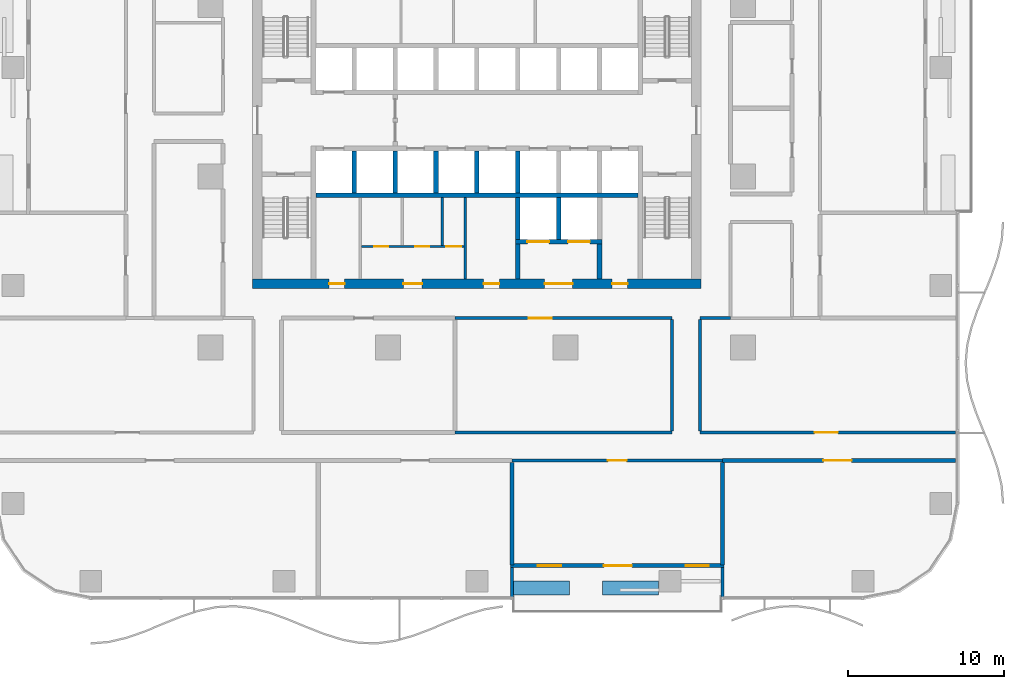
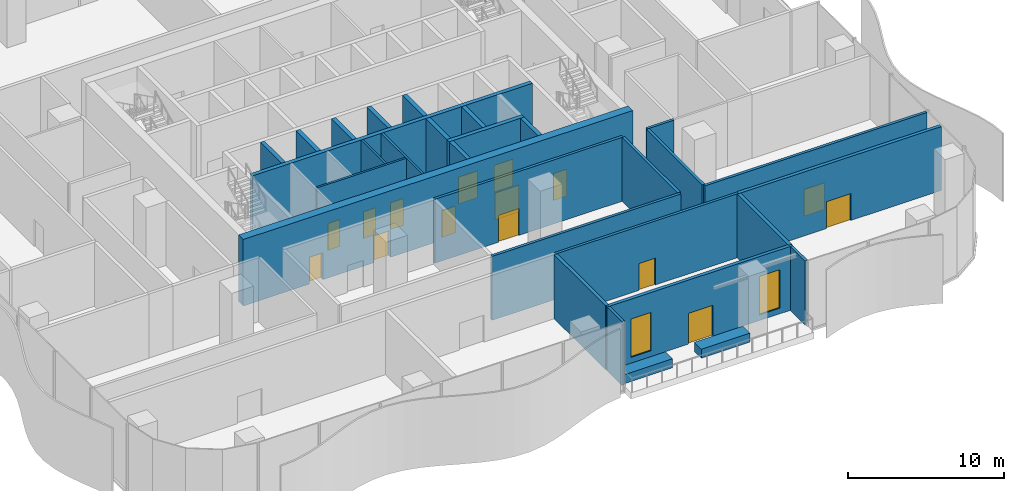
# One storey, part 8 of 20: 30 walls, 15 doors, 2 windows, 17 openings.
"""IFC4 building model written with IfcOpenShell, lengths in metres."""

from ifc_helpers import new_model, si_unit, direction, frame, frame_2d, origin, place, context, subcontext, project, spatial, rectangle, extrude, material, layer, layer_set, type_object, element, fill, save


model = new_model("IFC4")

# Units and contexts
model_context = context("Model", 3, precision=1e-05, world=origin(), true_north=direction((0.0, 1.0)))
body_context = subcontext(model_context, "Body", "Model", "MODEL_VIEW")
ifc_project = project(units=[si_unit("LENGTHUNIT", "METRE"), si_unit("AREAUNIT", "SQUARE_METRE"), si_unit("VOLUMEUNIT", "CUBIC_METRE"), si_unit("PLANEANGLEUNIT", "RADIAN"), si_unit("MASSUNIT", "GRAM", prefix="KILO")], contexts=[model_context])

# Site, building, storey
site_placement = place(None, origin())
site = spatial("IfcSite", under=ifc_project, at=site_placement, CompositionType="ELEMENT")
building_placement = place(site_placement, origin())
building = spatial("IfcBuilding", under=site, at=building_placement, Name="Mopane Tessera Tower", CompositionType="ELEMENT")
storey_placement = place(building_placement, frame((0.0, 0.0, 14.5)))
storey = spatial("IfcBuildingStorey", under=building, at=storey_placement, Name="L02", CompositionType="ELEMENT", Elevation=14.5)

# Wall, openings, doors
ifc_material_1 = material(Name="Fire-rated gypsum board partition")
ifc_layer_1 = layer(ifc_material_1, 0.14990234375)
ifc_layer_set_1 = layer_set([ifc_layer_1], Name="Fire-rated gypsum board partition")
wall_type_1 = type_object("IfcWallType", Name="Core room partition 150 mm", PredefinedType="PARTITIONING", material=ifc_layer_set_1)
wall_1_placement = place(storey_placement, frame((-7.425048828125, -4.5, 0.0), z_axis=(0.0, 0.0, 1.0), x_axis=(1.0, 0.0, 0.0)))
wall_1 = element("IfcWall", 1, at=wall_1_placement, inside=storey, type_object=wall_type_1, Name="L02 WC partition", PredefinedType="PARTITIONING", context=body_context, shape_type="SweptSolid", body=[
    extrude(rectangle(XDim=6.60009765625, YDim=0.14990234375, at=frame_2d((3.300048828125, 0.0))), origin(), (0.0, 0.0, 1.0), 5.199951171875),
])
opening_1_placement = place(wall_1_placement, frame((0.824951171875, 0.0, 0.0)))
opening_1 = element("IfcOpeningElement", 2, at=opening_1_placement, cuts=wall_1, Name="Opening WD1", PredefinedType="OPENING", context=body_context, shape_type="SweptSolid", body=[
    extrude(rectangle(XDim=0.89990234375, YDim=2.10009765625, at=frame_2d((0.449951171875, 1.050048828125))), frame((0.0, 0.0869140625, 0.0), z_axis=(0.0, -1.0, 0.0), x_axis=(1.0, 0.0, 0.0)), (0.0, 0.0, 1.0), 0.173828125),
])
opening_2_placement = place(wall_1_placement, frame((3.45751953125, 0.0, 0.0)))
opening_2 = element("IfcOpeningElement", 3, at=opening_2_placement, cuts=wall_1, Name="Opening WD1", PredefinedType="OPENING", context=body_context, shape_type="SweptSolid", body=[
    extrude(rectangle(XDim=0.89990234375, YDim=2.10009765625, at=frame_2d((0.449951171875, 1.050048828125))), frame((0.0, 0.0869140625, 0.0), z_axis=(0.0, -1.0, 0.0), x_axis=(1.0, 0.0, 0.0)), (0.0, 0.0, 1.0), 0.173828125),
])
opening_3_placement = place(wall_1_placement, frame((5.45751953125, 0.0, 0.0)))
opening_3 = element("IfcOpeningElement", 4, at=opening_3_placement, cuts=wall_1, Name="Opening WD2", PredefinedType="OPENING", context=body_context, shape_type="SweptSolid", body=[
    extrude(rectangle(XDim=0.949951171875, YDim=2.10009765625, at=frame_2d((0.47509765625, 1.050048828125))), frame((0.0, 0.0869140625, 0.0), z_axis=(0.0, -1.0, 0.0), x_axis=(1.0, 0.0, 0.0)), (0.0, 0.0, 1.0), 0.173828125),
])
ifc_material_2 = material(Name="Timber door", Category="wood")
door_type_1 = type_object("IfcDoorType", Name="Accessible WC door 950 x 2100", OperationType="SINGLE_SWING_LEFT", PredefinedType="DOOR", material=ifc_material_2)
door_1_placement = place(opening_3_placement, origin())
door_1 = element("IfcDoor", 5, at=door_1_placement, inside=storey, type_object=door_type_1, Name="L02 Accessible WC door", OperationType="SINGLE_SWING_LEFT", OverallHeight=2.10009765625, OverallWidth=0.949951171875, PredefinedType="DOOR", context=body_context, shape_type="SweptSolid", body=[
    extrude(rectangle(XDim=0.949951171875, YDim=2.10009765625, at=frame_2d((0.47509765625, 1.050048828125))), frame((0.0, 0.02490234375, 0.0), z_axis=(0.0, -1.0, 0.0), x_axis=(1.0, 0.0, 0.0)), (0.0, 0.0, 1.0), 0.050048828125),
])
fill(opening_3, door_1)
ifc_material_3 = material(Name="Timber door", Category="wood")
door_type_2 = type_object("IfcDoorType", Name="WC cubicle door 900 x 2100", OperationType="SINGLE_SWING_LEFT", PredefinedType="DOOR", material=ifc_material_3)
door_2_placement = place(opening_1_placement, origin())
door_2 = element("IfcDoor", 6, at=door_2_placement, inside=storey, type_object=door_type_2, Name="L02 Men's WC door", OperationType="SINGLE_SWING_LEFT", OverallHeight=2.10009765625, OverallWidth=0.89990234375, PredefinedType="DOOR", context=body_context, shape_type="SweptSolid", body=[
    extrude(rectangle(XDim=0.89990234375, YDim=2.10009765625, at=frame_2d((0.449951171875, 1.050048828125))), frame((0.0, 0.02490234375, 0.0), z_axis=(0.0, -1.0, 0.0), x_axis=(1.0, 0.0, 0.0)), (0.0, 0.0, 1.0), 0.050048828125),
])
fill(opening_1, door_2)
door_3_placement = place(opening_2_placement, origin())
door_3 = element("IfcDoor", 7, at=door_3_placement, inside=storey, type_object=door_type_2, Name="L02 Women's WC door", OperationType="SINGLE_SWING_LEFT", OverallHeight=2.10009765625, OverallWidth=0.89990234375, PredefinedType="DOOR", context=body_context, shape_type="SweptSolid", body=[
    extrude(rectangle(XDim=0.89990234375, YDim=2.10009765625, at=frame_2d((0.449951171875, 1.050048828125))), frame((0.0, 0.02490234375, 0.0), z_axis=(0.0, -1.0, 0.0), x_axis=(1.0, 0.0, 0.0)), (0.0, 0.0, 1.0), 0.050048828125),
])
fill(opening_2, door_3)

# Walls
wall_2_placement = place(storey_placement, frame((-2.235107421875, -4.425048828125, 0.0), z_axis=(0.0, 0.0, 1.0), x_axis=(0.0, 1.0, 0.0)))
element("IfcWall", 8, at=wall_2_placement, inside=storey, type_object=wall_type_1, Name="L02 WC partition", PredefinedType="PARTITIONING", context=body_context, shape_type="SweptSolid", body=[
    extrude(rectangle(XDim=3.074951171875, YDim=0.14990234375, at=frame_2d((1.53759765625, 0.0))), origin(), (0.0, 0.0, 1.0), 5.199951171875),
])
wall_3_placement = place(storey_placement, frame((-0.75, -6.60009765625, 0.0), z_axis=(0.0, 0.0, 1.0), x_axis=(0.0, 1.0, 0.0)))
element("IfcWall", 9, at=wall_3_placement, inside=storey, type_object=wall_type_1, Name="L02 Room partition", PredefinedType="PARTITIONING", context=body_context, shape_type="SweptSolid", body=[
    extrude(rectangle(XDim=5.25, YDim=0.14990234375, at=frame_2d((2.625, 0.0))), origin(), (0.0, 0.0, 1.0), 5.199951171875),
])

# Wall, openings, doors
ifc_material_4 = material(Name="Concrete C70/85", Category="concrete")
ifc_layer_2 = layer(ifc_material_4, 0.60009765625)
ifc_layer_set_2 = layer_set([ifc_layer_2], Name="Concrete C70/85")
wall_type_2 = type_object("IfcWallType", Name="Core shear wall 600 mm", PredefinedType="SHEAR", material=ifc_layer_set_2)
wall_4_placement = place(storey_placement, frame((-14.39990234375, -6.89990234375, 0.0), z_axis=(0.0, 0.0, 1.0), x_axis=(1.0, 0.0, 0.0)))
wall_4 = element("IfcWall", 10, at=wall_4_placement, inside=storey, type_object=wall_type_2, Name="L02 Core wall south", PredefinedType="SHEAR", context=body_context, shape_type="SweptSolid", body=[
    extrude(rectangle(XDim=28.7998046875, YDim=0.60009765625, at=frame_2d((14.39990234375, 0.0))), origin(), (0.0, 0.0, 1.0), 5.199951171875),
])
opening_4_placement = place(wall_4_placement, frame((4.89990234375, 0.0, 0.0)))
opening_4 = element("IfcOpeningElement", 11, at=opening_4_placement, cuts=wall_4, Name="Opening RD1", PredefinedType="OPENING", context=body_context, shape_type="SweptSolid", body=[
    extrude(rectangle(XDim=1.0, YDim=2.10009765625, at=frame_2d((0.5, 1.050048828125))), frame((0.0, 0.31201171875, 0.0), z_axis=(0.0, -1.0, 0.0), x_axis=(1.0, 0.0, 0.0)), (0.0, 0.0, 1.0), 0.6240234375),
])
opening_5_placement = place(wall_4_placement, frame((9.675048828125, 0.0, 0.0)))
opening_5 = element("IfcOpeningElement", 12, at=opening_5_placement, cuts=wall_4, Name="Opening WD3", PredefinedType="OPENING", context=body_context, shape_type="SweptSolid", body=[
    extrude(rectangle(XDim=1.199951171875, YDim=2.10009765625, at=frame_2d((0.60009765625, 1.050048828125))), frame((0.0, 0.31201171875, 0.0), z_axis=(0.0, -1.0, 0.0), x_axis=(1.0, 0.0, 0.0)), (0.0, 0.0, 1.0), 0.6240234375),
])
opening_6_placement = place(wall_4_placement, frame((14.83740234375, 0.0, 0.0)))
opening_6 = element("IfcOpeningElement", 13, at=opening_6_placement, cuts=wall_4, Name="Opening RD1", PredefinedType="OPENING", context=body_context, shape_type="SweptSolid", body=[
    extrude(rectangle(XDim=1.0, YDim=2.10009765625, at=frame_2d((0.5, 1.050048828125))), frame((0.0, 0.31201171875, 0.0), z_axis=(0.0, -1.0, 0.0), x_axis=(1.0, 0.0, 0.0)), (0.0, 0.0, 1.0), 0.6240234375),
])
opening_7_placement = place(wall_4_placement, frame((18.75, 0.0, 0.0)))
opening_7 = element("IfcOpeningElement", 14, at=opening_7_placement, cuts=wall_4, Name="Opening SD2", PredefinedType="OPENING", context=body_context, shape_type="SweptSolid", body=[
    extrude(rectangle(XDim=1.800048828125, YDim=2.10009765625, at=frame_2d((0.89990234375, 1.050048828125))), frame((0.0, 0.31201171875, 0.0), z_axis=(0.0, -1.0, 0.0), x_axis=(1.0, 0.0, 0.0)), (0.0, 0.0, 1.0), 0.6240234375),
])
opening_8_placement = place(wall_4_placement, frame((23.08740234375, 0.0, 0.0)))
opening_8 = element("IfcOpeningElement", 15, at=opening_8_placement, cuts=wall_4, Name="Opening RD1", PredefinedType="OPENING", context=body_context, shape_type="SweptSolid", body=[
    extrude(rectangle(XDim=1.0, YDim=2.10009765625, at=frame_2d((0.5, 1.050048828125))), frame((0.0, 0.31201171875, 0.0), z_axis=(0.0, -1.0, 0.0), x_axis=(1.0, 0.0, 0.0)), (0.0, 0.0, 1.0), 0.6240234375),
])
ifc_material_5 = material(Name="Steel fire door", Category="steel")
door_type_3 = type_object("IfcDoorType", Name="Core entrance double door 1800 x 2100", OperationType="DOUBLE_DOOR_SINGLE_SWING", PredefinedType="DOOR", material=ifc_material_5)
door_4_placement = place(opening_7_placement, origin())
door_4 = element("IfcDoor", 16, at=door_4_placement, inside=storey, type_object=door_type_3, Name="L02 Service lobby door", OperationType="DOUBLE_DOOR_SINGLE_SWING", OverallHeight=2.10009765625, OverallWidth=1.800048828125, PredefinedType="DOOR", context=body_context, shape_type="SweptSolid", body=[
    extrude(rectangle(XDim=1.800048828125, YDim=2.10009765625, at=frame_2d((0.89990234375, 1.050048828125))), frame((0.0, 0.02490234375, 0.0), z_axis=(0.0, -1.0, 0.0), x_axis=(1.0, 0.0, 0.0)), (0.0, 0.0, 1.0), 0.050048828125),
])
fill(opening_7, door_4)
ifc_material_6 = material(Name="Timber door", Category="wood")
door_type_4 = type_object("IfcDoorType", Name="Core room door 1000 x 2100", OperationType="SINGLE_SWING_LEFT", PredefinedType="DOOR", material=ifc_material_6)
door_5_placement = place(opening_4_placement, origin())
door_5 = element("IfcDoor", 17, at=door_5_placement, inside=storey, type_object=door_type_4, Name="L02 Room door", OperationType="SINGLE_SWING_LEFT", OverallHeight=2.10009765625, OverallWidth=1.0, PredefinedType="DOOR", context=body_context, shape_type="SweptSolid", body=[
    extrude(rectangle(XDim=1.0, YDim=2.10009765625, at=frame_2d((0.5, 1.050048828125))), frame((0.0, 0.02490234375, 0.0), z_axis=(0.0, -1.0, 0.0), x_axis=(1.0, 0.0, 0.0)), (0.0, 0.0, 1.0), 0.050048828125),
])
fill(opening_4, door_5)
door_6_placement = place(opening_6_placement, origin())
door_6 = element("IfcDoor", 18, at=door_6_placement, inside=storey, type_object=door_type_4, Name="L02 Room door", OperationType="SINGLE_SWING_LEFT", OverallHeight=2.10009765625, OverallWidth=1.0, PredefinedType="DOOR", context=body_context, shape_type="SweptSolid", body=[
    extrude(rectangle(XDim=1.0, YDim=2.10009765625, at=frame_2d((0.5, 1.050048828125))), frame((0.0, 0.02490234375, 0.0), z_axis=(0.0, -1.0, 0.0), x_axis=(1.0, 0.0, 0.0)), (0.0, 0.0, 1.0), 0.050048828125),
])
fill(opening_6, door_6)
door_7_placement = place(opening_8_placement, origin())
door_7 = element("IfcDoor", 19, at=door_7_placement, inside=storey, type_object=door_type_4, Name="L02 Room door", OperationType="SINGLE_SWING_LEFT", OverallHeight=2.10009765625, OverallWidth=1.0, PredefinedType="DOOR", context=body_context, shape_type="SweptSolid", body=[
    extrude(rectangle(XDim=1.0, YDim=2.10009765625, at=frame_2d((0.5, 1.050048828125))), frame((0.0, 0.02490234375, 0.0), z_axis=(0.0, -1.0, 0.0), x_axis=(1.0, 0.0, 0.0)), (0.0, 0.0, 1.0), 0.050048828125),
])
fill(opening_8, door_7)
ifc_material_7 = material(Name="Timber door", Category="wood")
door_type_5 = type_object("IfcDoorType", Name="WC lobby door 1200 x 2100", OperationType="SINGLE_SWING_LEFT", PredefinedType="DOOR", material=ifc_material_7)
door_8_placement = place(opening_5_placement, origin())
door_8 = element("IfcDoor", 20, at=door_8_placement, inside=storey, type_object=door_type_5, Name="L02 WC lobby door", OperationType="SINGLE_SWING_LEFT", OverallHeight=2.10009765625, OverallWidth=1.199951171875, PredefinedType="DOOR", context=body_context, shape_type="SweptSolid", body=[
    extrude(rectangle(XDim=1.199951171875, YDim=2.10009765625, at=frame_2d((0.60009765625, 1.050048828125))), frame((0.0, 0.02490234375, 0.0), z_axis=(0.0, -1.0, 0.0), x_axis=(1.0, 0.0, 0.0)), (0.0, 0.0, 1.0), 0.050048828125),
])
fill(opening_5, door_8)

# Wall, opening, door
ifc_material_8 = material(Name="Gypsum board on steel studs, two layers each face, mineral wool infill", Category="steel")
ifc_layer_3 = layer(ifc_material_8, 0.199951171875)
ifc_layer_set_3 = layer_set([ifc_layer_3], Name="Gypsum board on steel studs, two layers each face, mineral wool infill")
wall_type_3 = type_object("IfcWallType", Name="Gypsum board corridor wall 200, rated EI 60", PredefinedType="PARTITIONING", material=ifc_layer_set_3)
wall_5_placement = place(storey_placement, frame((2.2548828125, -18.25, 0.0), z_axis=(0.0, 0.0, 1.0), x_axis=(1.0, 0.0, 0.0)))
wall_5 = element("IfcWall", 21, at=wall_5_placement, inside=storey, type_object=wall_type_3, Name="Partition L02:000", PredefinedType="PARTITIONING", context=body_context, shape_type="SweptSolid", body=[
    extrude(rectangle(XDim=13.525146484375, YDim=0.199951171875, at=frame_2d((6.7626953125, 0.0))), origin(), (0.0, 0.0, 1.0), 5.0),
])
opening_9_placement = place(wall_5_placement, frame((6.16259765625, 0.0, 0.0)))
opening_9 = element("IfcOpeningElement", 22, at=opening_9_placement, cuts=wall_5, Name="Opening L02-23", PredefinedType="OPENING", context=body_context, shape_type="SweptSolid", body=[
    extrude(rectangle(XDim=1.199951171875, YDim=2.10009765625, at=frame_2d((0.60009765625, 1.050048828125))), frame((0.0, 0.112060546875, 0.0), z_axis=(0.0, -1.0, 0.0), x_axis=(1.0, 0.0, 0.0)), (0.0, 0.0, 1.0), 0.223876953125),
])
ifc_material_9 = material(Name="Timber veneered steel-framed fire door", Category="steel")
door_type_6 = type_object("IfcDoorType", Name="Fire door FD60 1200 x 2100", OperationType="SINGLE_SWING_LEFT", PredefinedType="DOOR", material=ifc_material_9)
door_9_placement = place(opening_9_placement, origin())
door_9 = element("IfcDoor", 23, at=door_9_placement, inside=storey, type_object=door_type_6, Name="Door L02-23", ObjectType="D15A", OperationType="SINGLE_SWING_LEFT", OverallHeight=2.10009765625, OverallWidth=1.199951171875, PredefinedType="DOOR", context=body_context, shape_type="SweptSolid", body=[
    extrude(rectangle(XDim=1.199951171875, YDim=2.10009765625, at=frame_2d((0.60009765625, 1.050048828125))), frame((0.0, 0.02490234375, 0.0), z_axis=(0.0, -1.0, 0.0), x_axis=(1.0, 0.0, 0.0)), (0.0, 0.0, 1.0), 0.050048828125),
])
fill(opening_9, door_9)

# Wall
wall_6_placement = place(storey_placement, frame((-1.39501953125, -16.449951171875, 0.0), z_axis=(0.0, 0.0, 1.0), x_axis=(1.0, 0.0, 0.0)))
element("IfcWall", 24, at=wall_6_placement, inside=storey, type_object=wall_type_3, Name="Partition L02:004", PredefinedType="PARTITIONING", context=body_context, shape_type="SweptSolid", body=[
    extrude(rectangle(XDim=13.93505859375, YDim=0.199951171875, at=frame_2d((6.967529296875, 0.0))), origin(), (0.0, 0.0, 1.0), 5.0),
])

# Wall, opening, door
wall_7_placement = place(storey_placement, frame((14.340087890625, -16.449951171875, 0.0), z_axis=(0.0, 0.0, 1.0), x_axis=(1.0, 0.0, 0.0)))
wall_7 = element("IfcWall", 25, at=wall_7_placement, inside=storey, type_object=wall_type_3, Name="Partition L02:005", PredefinedType="PARTITIONING", context=body_context, shape_type="SweptSolid", body=[
    extrude(rectangle(XDim=16.409912109375, YDim=0.199951171875, at=frame_2d((8.205078125, 0.0))), origin(), (0.0, 0.0, 1.0), 5.0),
])
opening_10_placement = place(wall_7_placement, frame((7.35498046875, 0.0, 0.0)))
opening_10 = element("IfcOpeningElement", 26, at=opening_10_placement, cuts=wall_7, Name="Opening L02-17", PredefinedType="OPENING", context=body_context, shape_type="SweptSolid", body=[
    extrude(rectangle(XDim=1.5, YDim=2.10009765625, at=frame_2d((0.75, 1.050048828125))), frame((0.0, 0.112060546875, 0.0), z_axis=(0.0, -1.0, 0.0), x_axis=(1.0, 0.0, 0.0)), (0.0, 0.0, 1.0), 0.223876953125),
])
ifc_material_10 = material(Name="Timber veneered steel-framed fire door", Category="steel")
door_type_7 = type_object("IfcDoorType", Name="Fire door pair FD60 1500 x 2100", OperationType="DOUBLE_DOOR_SINGLE_SWING", PredefinedType="DOOR", material=ifc_material_10)
door_10_placement = place(opening_10_placement, origin())
door_10 = element("IfcDoor", 27, at=door_10_placement, inside=storey, type_object=door_type_7, Name="Door L02-17", ObjectType="D17A", OperationType="DOUBLE_DOOR_SINGLE_SWING", OverallHeight=2.10009765625, OverallWidth=1.5, PredefinedType="DOOR", context=body_context, shape_type="SweptSolid", body=[
    extrude(rectangle(XDim=1.5, YDim=2.10009765625, at=frame_2d((0.75, 1.050048828125))), frame((0.0, 0.02490234375, 0.0), z_axis=(0.0, -1.0, 0.0), x_axis=(1.0, 0.0, 0.0)), (0.0, 0.0, 1.0), 0.050048828125),
])
fill(opening_10, door_10)

wall_8_placement = place(storey_placement, frame((-1.39501953125, -9.10009765625, 0.0), z_axis=(0.0, 0.0, 1.0), x_axis=(1.0, 0.0, 0.0)))
wall_8 = element("IfcWall", 28, at=wall_8_placement, inside=storey, type_object=wall_type_3, Name="Partition L02:010", PredefinedType="PARTITIONING", context=body_context, shape_type="SweptSolid", body=[
    extrude(rectangle(XDim=13.93505859375, YDim=0.199951171875, at=frame_2d((6.967529296875, 0.0))), origin(), (0.0, 0.0, 1.0), 5.0),
])
opening_11_placement = place(wall_8_placement, frame((4.717529296875, 0.0, 0.0)))
opening_11 = element("IfcOpeningElement", 29, at=opening_11_placement, cuts=wall_8, Name="Opening L02-14", PredefinedType="OPENING", context=body_context, shape_type="SweptSolid", body=[
    extrude(rectangle(XDim=1.5, YDim=2.10009765625, at=frame_2d((0.75, 1.050048828125))), frame((0.0, 0.112060546875, 0.0), z_axis=(0.0, -1.0, 0.0), x_axis=(1.0, 0.0, 0.0)), (0.0, 0.0, 1.0), 0.223876953125),
])
door_11_placement = place(opening_11_placement, origin())
door_11 = element("IfcDoor", 30, at=door_11_placement, inside=storey, type_object=door_type_7, Name="Door L02-14", ObjectType="D17A", OperationType="DOUBLE_DOOR_SINGLE_SWING", OverallHeight=2.10009765625, OverallWidth=1.5, PredefinedType="DOOR", context=body_context, shape_type="SweptSolid", body=[
    extrude(rectangle(XDim=1.5, YDim=2.10009765625, at=frame_2d((0.75, 1.050048828125))), frame((0.0, 0.02490234375, 0.0), z_axis=(0.0, -1.0, 0.0), x_axis=(1.0, 0.0, 0.0)), (0.0, 0.0, 1.0), 0.050048828125),
])
fill(opening_11, door_11)

# Walls
wall_9_placement = place(storey_placement, frame((14.340087890625, -9.10009765625, 0.0), z_axis=(0.0, 0.0, 1.0), x_axis=(1.0, 0.0, 0.0)))
element("IfcWall", 31, at=wall_9_placement, inside=storey, type_object=wall_type_3, Name="Partition L02:011", PredefinedType="PARTITIONING", context=body_context, shape_type="SweptSolid", body=[
    extrude(rectangle(XDim=1.9599609375, YDim=0.199951171875, at=frame_2d((0.97998046875, 0.0))), origin(), (0.0, 0.0, 1.0), 5.0),
])
for number, where, z_axis, x_axis, name in (
    (32, (12.5400390625, -16.35009765625, 0.0), (0.0, 0.0, 1.0), (0.0, 1.0, 0.0), "Partition L02:050"),
    (33, (14.340087890625, -16.35009765625, 0.0), (0.0, 0.0, 1.0), (0.0, 1.0, 0.0), "Partition L02:051"),
):
    element("IfcWall", number, at=place(storey_placement, frame(where, z_axis=z_axis, x_axis=x_axis)), inside=storey, type_object=wall_type_3, Name=name, PredefinedType="PARTITIONING", context=body_context, shape_type="SweptSolid", body=[
        extrude(rectangle(XDim=7.150146484375, YDim=0.199951171875, at=frame_2d((3.5751953125, 0.0))), origin(), (0.0, 0.0, 1.0), 5.0),
    ])
ifc_material_11 = material(Name="Concrete C50/60", Category="concrete")
ifc_layer_4 = layer(ifc_material_11, 0.300048828125)
ifc_layer_set_4 = layer_set([ifc_layer_4], Name="Concrete C50/60")
wall_type_4 = type_object("IfcWallType", Name="Lift and stair shaft wall 300 mm", PredefinedType="SOLIDWALL", material=ifc_layer_set_4)
wall_10_placement = place(storey_placement, frame((-10.35009765625, -1.199951171875, 0.0), z_axis=(0.0, 0.0, 1.0), x_axis=(1.0, 0.0, 0.0)))
element("IfcWall", 34, at=wall_10_placement, inside=storey, type_object=wall_type_4, Name="L02 Lift shaft rear wall", PredefinedType="SOLIDWALL", context=body_context, shape_type="SweptSolid", body=[
    extrude(rectangle(XDim=20.7001953125, YDim=0.300048828125, at=frame_2d((10.35009765625, 0.0))), origin(), (0.0, 0.0, 1.0), 5.199951171875),
])
for number, where, z_axis, x_axis, name in (
    (35, (-7.875, -1.050048828125, 0.0), (0.0, 0.0, 1.0), (0.0, 1.0, 0.0), "L02 Lift shaft wall"),
    (36, (-5.25, -1.050048828125, 0.0), (0.0, 0.0, 1.0), (0.0, 1.0, 0.0), "L02 Lift shaft wall"),
    (37, (-2.625, -1.050048828125, 0.0), (0.0, 0.0, 1.0), (0.0, 1.0, 0.0), "L02 Lift shaft wall"),
    (38, (0.0, -1.050048828125, 0.0), (0.0, 0.0, 1.0), (0.0, 1.0, 0.0), "L02 Lift shaft wall"),
    (39, (2.625, -1.050048828125, 0.0), (0.0, 0.0, 1.0), (0.0, 1.0, 0.0), "L02 Lift shaft wall"),
):
    element("IfcWall", number, at=place(storey_placement, frame(where, z_axis=z_axis, x_axis=x_axis)), inside=storey, type_object=wall_type_4, Name=name, PredefinedType="SOLIDWALL", context=body_context, shape_type="SweptSolid", body=[
        extrude(rectangle(XDim=2.699951171875, YDim=0.300048828125, at=frame_2d((1.35009765625, 0.0))), origin(), (0.0, 0.0, 1.0), 5.199951171875),
    ])

# Wall, openings, doors
wall_11_placement = place(storey_placement, frame((2.47509765625, -4.199951171875, 0.0), z_axis=(0.0, 0.0, 1.0), x_axis=(1.0, 0.0, 0.0)))
wall_11 = element("IfcWall", 40, at=wall_11_placement, inside=storey, type_object=wall_type_4, Name="L02 Lift shaft front wall", PredefinedType="SOLIDWALL", context=body_context, shape_type="SweptSolid", body=[
    extrude(rectangle(XDim=5.5498046875, YDim=0.300048828125, at=frame_2d((2.77490234375, 0.0))), origin(), (0.0, 0.0, 1.0), 5.199951171875),
])
opening_12_placement = place(wall_11_placement, frame((0.762451171875, 0.0, 0.0)))
opening_12 = element("IfcOpeningElement", 41, at=opening_12_placement, cuts=wall_11, Name="Opening LD3", PredefinedType="OPENING", context=body_context, shape_type="SweptSolid", body=[
    extrude(rectangle(XDim=1.39990234375, YDim=2.10009765625, at=frame_2d((0.699951171875, 1.050048828125))), frame((0.0, 0.162109375, 0.0), z_axis=(0.0, -1.0, 0.0), x_axis=(1.0, 0.0, 0.0)), (0.0, 0.0, 1.0), 0.323974609375),
])
opening_13_placement = place(wall_11_placement, frame((3.387451171875, 0.0, 0.0)))
opening_13 = element("IfcOpeningElement", 42, at=opening_13_placement, cuts=wall_11, Name="Opening LD3", PredefinedType="OPENING", context=body_context, shape_type="SweptSolid", body=[
    extrude(rectangle(XDim=1.39990234375, YDim=2.10009765625, at=frame_2d((0.699951171875, 1.050048828125))), frame((0.0, 0.162109375, 0.0), z_axis=(0.0, -1.0, 0.0), x_axis=(1.0, 0.0, 0.0)), (0.0, 0.0, 1.0), 0.323974609375),
])
ifc_material_12 = material(Name="Stainless steel sliding door", Category="steel")
door_type_8 = type_object("IfcDoorType", Name="Service lift landing door 1400 x 2100", OperationType="DOUBLE_DOOR_SLIDING", PredefinedType="DOOR", material=ifc_material_12)
door_12_placement = place(opening_12_placement, origin())
door_12 = element("IfcDoor", 43, at=door_12_placement, inside=storey, type_object=door_type_8, Name="L02 Lift landing door SV1", OperationType="DOUBLE_DOOR_SLIDING", OverallHeight=2.10009765625, OverallWidth=1.39990234375, PredefinedType="DOOR", context=body_context, shape_type="SweptSolid", body=[
    extrude(rectangle(XDim=1.39990234375, YDim=2.10009765625, at=frame_2d((0.699951171875, 1.050048828125))), frame((0.0, 0.02490234375, 0.0), z_axis=(0.0, -1.0, 0.0), x_axis=(1.0, 0.0, 0.0)), (0.0, 0.0, 1.0), 0.050048828125),
])
fill(opening_12, door_12)
door_13_placement = place(opening_13_placement, origin())
door_13 = element("IfcDoor", 44, at=door_13_placement, inside=storey, type_object=door_type_8, Name="L02 Lift landing door SV2", OperationType="DOUBLE_DOOR_SLIDING", OverallHeight=2.10009765625, OverallWidth=1.39990234375, PredefinedType="DOOR", context=body_context, shape_type="SweptSolid", body=[
    extrude(rectangle(XDim=1.39990234375, YDim=2.10009765625, at=frame_2d((0.699951171875, 1.050048828125))), frame((0.0, 0.02490234375, 0.0), z_axis=(0.0, -1.0, 0.0), x_axis=(1.0, 0.0, 0.0)), (0.0, 0.0, 1.0), 0.050048828125),
])
fill(opening_13, door_13)

# Walls
for number, where, z_axis, x_axis, name in (
    (45, (2.625, -4.050048828125, 0.0), (0.0, 0.0, 1.0), (0.0, 1.0, 0.0), "L02 Lift shaft wall"),
    (46, (5.25, -4.050048828125, 0.0), (0.0, 0.0, 1.0), (0.0, 1.0, 0.0), "L02 Lift shaft wall"),
):
    element("IfcWall", number, at=place(storey_placement, frame(where, z_axis=z_axis, x_axis=x_axis)), inside=storey, type_object=wall_type_4, Name=name, PredefinedType="SOLIDWALL", context=body_context, shape_type="SweptSolid", body=[
        extrude(rectangle(XDim=2.699951171875, YDim=0.300048828125, at=frame_2d((1.35009765625, 0.0))), origin(), (0.0, 0.0, 1.0), 5.199951171875),
    ])
ifc_material_13 = material(Name="Concrete C50/60", Category="concrete")
ifc_layer_5 = layer(ifc_material_13, 0.300048828125)
ifc_layer_set_5 = layer_set([ifc_layer_5], Name="Concrete C50/60")
wall_type_5 = type_object("IfcWallType", Name="Lobby and refuge room wall 300 mm", PredefinedType="SOLIDWALL", material=ifc_layer_set_5)
for number, where, z_axis, x_axis, name in (
    (47, (2.625, -6.60009765625, 0.0), (0.0, 0.0, 1.0), (0.0, 1.0, 0.0), "L02 Service lobby wall"),
    (48, (7.875, -6.60009765625, 0.0), (0.0, 0.0, 1.0), (0.0, 1.0, 0.0), "L02 Service lobby wall"),
):
    element("IfcWall", number, at=place(storey_placement, frame(where, z_axis=z_axis, x_axis=x_axis)), inside=storey, type_object=wall_type_5, Name=name, PredefinedType="SOLIDWALL", context=body_context, shape_type="SweptSolid", body=[
        extrude(rectangle(XDim=2.25, YDim=0.300048828125, at=frame_2d((1.125, 0.0))), origin(), (0.0, 0.0, 1.0), 5.199951171875),
    ])
ifc_material_14 = material(Name="Reinforced concrete C32/40 with waterproofing", Category="concrete")
ifc_layer_6 = layer(ifc_material_14, 0.89990234375)
ifc_layer_set_6 = layer_set([ifc_layer_6], Name="Reinforced concrete C32/40 with waterproofing")
wall_type_6 = type_object("IfcWallType", Name="Planter trough 3600 x 900", PredefinedType="STANDARD", material=ifc_layer_set_6)
for number, where, z_axis, x_axis, name in (
    (49, (2.3544921875, -26.449951171875, 0.0), (0.0, 0.0, 1.0), (1.0, 0.0, 0.0), "e:nw:L02:N1:pl0"),
    (50, (8.079833984375, -26.449951171875, 0.0), (0.0, 0.0, 1.0), (1.0, 0.0, 0.0), "e:nw:L02:N1:pl1"),
):
    element("IfcWall", number, at=place(storey_placement, frame(where, z_axis=z_axis, x_axis=x_axis)), inside=storey, type_object=wall_type_6, Name=name, PredefinedType="STANDARD", context=body_context, shape_type="SweptSolid", body=[
        extrude(rectangle(XDim=3.60009765625, YDim=0.89990234375, at=frame_2d((1.800048828125, 0.0))), origin(), (0.0, 0.0, 1.0), 0.699951171875),
    ])

# Wall, opening, door
ifc_material_15 = material(Name="Plastered concrete blockwork C20/25", Category="masonry")
ifc_layer_7 = layer(ifc_material_15, 0.25)
ifc_layer_set_7 = layer_set([ifc_layer_7], Name="Plastered concrete blockwork C20/25")
wall_type_7 = type_object("IfcWallType", Name="Plastered blockwork wall 250, rated EI 120", PredefinedType="PARTITIONING", material=ifc_layer_set_7)
wall_12_placement = place(storey_placement, frame((15.780029296875, -18.25, 0.0), z_axis=(0.0, 0.0, 1.0), x_axis=(1.0, 0.0, 0.0)))
wall_12 = element("IfcWall", 51, at=wall_12_placement, inside=storey, type_object=wall_type_7, Name="Partition L02:002", PredefinedType="PARTITIONING", context=body_context, shape_type="SweptSolid", body=[
    extrude(rectangle(XDim=14.969970703125, YDim=0.25, at=frame_2d((7.48486328125, 0.0))), origin(), (0.0, 0.0, 1.0), 5.0),
])
opening_14_placement = place(wall_12_placement, frame((6.485107421875, 0.0, 0.0)))
opening_14 = element("IfcOpeningElement", 52, at=opening_14_placement, cuts=wall_12, Name="Opening L02-07", PredefinedType="OPENING", context=body_context, shape_type="SweptSolid", body=[
    extrude(rectangle(XDim=1.800048828125, YDim=2.10009765625, at=frame_2d((0.89990234375, 1.050048828125))), frame((0.0, 0.136962890625, 0.0), z_axis=(0.0, -1.0, 0.0), x_axis=(1.0, 0.0, 0.0)), (0.0, 0.0, 1.0), 0.27392578125),
])
ifc_material_16 = material(Name="Timber veneered steel-framed fire door", Category="steel")
door_type_9 = type_object("IfcDoorType", Name="Fire door pair FD120 1800 x 2100", OperationType="DOUBLE_DOOR_SINGLE_SWING", PredefinedType="DOOR", material=ifc_material_16)
door_14_placement = place(opening_14_placement, origin())
door_14 = element("IfcDoor", 53, at=door_14_placement, inside=storey, type_object=door_type_9, Name="Door L02-07", ObjectType="D20B", OperationType="DOUBLE_DOOR_SINGLE_SWING", OverallHeight=2.10009765625, OverallWidth=1.800048828125, PredefinedType="DOOR", context=body_context, shape_type="SweptSolid", body=[
    extrude(rectangle(XDim=1.800048828125, YDim=2.10009765625, at=frame_2d((0.89990234375, 1.050048828125))), frame((0.0, 0.02490234375, 0.0), z_axis=(0.0, -1.0, 0.0), x_axis=(1.0, 0.0, 0.0)), (0.0, 0.0, 1.0), 0.050048828125),
])
fill(opening_14, door_14)

# Walls
for number, where, z_axis, x_axis, name in (
    (54, (2.2548828125, -24.949951171875, 0.0), (0.0, 0.0, 1.0), (0.0, 1.0, 0.0), "Partition L02:048"),
    (55, (15.780029296875, -24.949951171875, 0.0), (0.0, 0.0, 1.0), (0.0, 1.0, 0.0), "Partition L02:052"),
):
    element("IfcWall", number, at=place(storey_placement, frame(where, z_axis=z_axis, x_axis=x_axis)), inside=storey, type_object=wall_type_7, Name=name, PredefinedType="PARTITIONING", context=body_context, shape_type="SweptSolid", body=[
        extrude(rectangle(XDim=6.574951171875, YDim=0.25, at=frame_2d((3.28759765625, 0.0))), origin(), (0.0, 0.0, 1.0), 5.0),
    ])
ifc_material_17 = material(Name="Blockwork with glazed tile facing", Category="masonry")
ifc_layer_8 = layer(ifc_material_17, 0.199951171875)
ifc_layer_set_8 = layer_set([ifc_layer_8], Name="Blockwork with glazed tile facing")
wall_type_8 = type_object("IfcWallType", Name="Terrace cheek wall 200", PredefinedType="STANDARD", material=ifc_layer_set_8)
for number, where, z_axis, x_axis, name in (
    (56, (2.254638671875, -27.0, 0.0), (0.0, 0.0, 1.0), (0.0, 1.0, 0.0), "e:nw:L02:N1:cheeka"),
    (57, (15.78173828125, -27.0, 0.0), (0.0, 0.0, 1.0), (0.0, 1.0, 0.0), "e:nw:L02:N1:cheekb"),
):
    element("IfcWall", number, at=place(storey_placement, frame(where, z_axis=z_axis, x_axis=x_axis)), inside=storey, type_object=wall_type_8, Name=name, PredefinedType="STANDARD", context=body_context, shape_type="SweptSolid", body=[
        extrude(rectangle(XDim=1.875, YDim=0.199951171875, at=frame_2d((0.9375, 0.0))), origin(), (0.0, 0.0, 1.0), 5.0),
    ])

# Wall, openings, windows, door
ifc_material_18 = material(Name="Blockwork with turquoise glazed tile facing", Category="masonry")
ifc_layer_9 = layer(ifc_material_18, 0.25)
ifc_layer_set_9 = layer_set([ifc_layer_9], Name="Blockwork with turquoise glazed tile facing")
wall_type_9 = type_object("IfcWallType", Name="Tile-clad external wall 250, turquoise", PredefinedType="STANDARD", material=ifc_layer_set_9)
wall_13_placement = place(storey_placement, frame((2.154541015625, -25.0, 0.0), z_axis=(0.0, 0.0, 1.0), x_axis=(1.0, 0.0, 0.0)))
wall_13 = element("IfcWall", 58, at=wall_13_placement, inside=storey, type_object=wall_type_9, Name="e:nw:L02:N1:back", PredefinedType="STANDARD", context=body_context, shape_type="SweptSolid", body=[
    extrude(rectangle(XDim=13.727294921875, YDim=0.25, at=frame_2d((6.86376953125, 0.0))), origin(), (0.0, 0.0, 1.0), 5.0),
])
opening_15_placement = place(wall_13_placement, frame((1.75, 0.0, 0.449951171875)))
opening_15 = element("IfcOpeningElement", 59, at=opening_15_placement, cuts=wall_13, Name="Opening NW021A", PredefinedType="OPENING", context=body_context, shape_type="SweptSolid", body=[
    extrude(rectangle(XDim=1.5, YDim=3.0, at=frame_2d((0.75, 1.5))), frame((0.0, 0.136962890625, 0.0), z_axis=(0.0, -1.0, 0.0), x_axis=(1.0, 0.0, 0.0)), (0.0, 0.0, 1.0), 0.27392578125),
])
opening_16_placement = place(wall_13_placement, frame((6.0, 0.0, 0.0)))
opening_16 = element("IfcOpeningElement", 60, at=opening_16_placement, cuts=wall_13, Name="Opening ND021", PredefinedType="OPENING", context=body_context, shape_type="SweptSolid", body=[
    extrude(rectangle(XDim=1.800048828125, YDim=2.39990234375, at=frame_2d((0.89990234375, 1.199951171875))), frame((0.0, 0.136962890625, 0.0), z_axis=(0.0, -1.0, 0.0), x_axis=(1.0, 0.0, 0.0)), (0.0, 0.0, 1.0), 0.27392578125),
])
opening_17_placement = place(wall_13_placement, frame((11.25, 0.0, 0.449951171875)))
opening_17 = element("IfcOpeningElement", 61, at=opening_17_placement, cuts=wall_13, Name="Opening NW021B", PredefinedType="OPENING", context=body_context, shape_type="SweptSolid", body=[
    extrude(rectangle(XDim=1.5, YDim=3.0, at=frame_2d((0.75, 1.5))), frame((0.0, 0.136962890625, 0.0), z_axis=(0.0, -1.0, 0.0), x_axis=(1.0, 0.0, 0.0)), (0.0, 0.0, 1.0), 0.27392578125),
])
ifc_material_19 = material(Name="Clear laminated glass", Category="glass")
window_type = type_object("IfcWindowType", Name="Fixed window 1500 x 3000", PartitioningType="SINGLE_PANEL", PredefinedType="WINDOW", material=ifc_material_19)
window_1_placement = place(opening_15_placement, origin())
window_1 = element("IfcWindow", 62, at=window_1_placement, inside=storey, type_object=window_type, Name="e:nw:L02:N1:win0", OverallHeight=3.0, OverallWidth=1.5, PartitioningType="SINGLE_PANEL", PredefinedType="WINDOW", context=body_context, shape_type="SweptSolid", body=[
    extrude(rectangle(XDim=1.5, YDim=3.0, at=frame_2d((0.75, 1.5))), frame((0.0, 0.030029296875, 0.0), z_axis=(0.0, -1.0, 0.0), x_axis=(1.0, 0.0, 0.0)), (0.0, 0.0, 1.0), 0.06005859375),
])
fill(opening_15, window_1)
window_2_placement = place(opening_17_placement, origin())
window_2 = element("IfcWindow", 63, at=window_2_placement, inside=storey, type_object=window_type, Name="e:nw:L02:N1:win2", OverallHeight=3.0, OverallWidth=1.5, PartitioningType="SINGLE_PANEL", PredefinedType="WINDOW", context=body_context, shape_type="SweptSolid", body=[
    extrude(rectangle(XDim=1.5, YDim=3.0, at=frame_2d((0.75, 1.5))), frame((0.0, 0.030029296875, 0.0), z_axis=(0.0, -1.0, 0.0), x_axis=(1.0, 0.0, 0.0)), (0.0, 0.0, 1.0), 0.06005859375),
])
fill(opening_17, window_2)
ifc_material_20 = material(Name="Aluminium and clear glass", Category="aluminium")
door_type_10 = type_object("IfcDoorType", Name="Terrace double door 1800 x 2400", OperationType="DOUBLE_DOOR_SINGLE_SWING", PredefinedType="DOOR", material=ifc_material_20)
door_15_placement = place(opening_16_placement, origin())
door_15 = element("IfcDoor", 64, at=door_15_placement, inside=storey, type_object=door_type_10, Name="e:nw:L02:N1:door", ObjectType="D1", OperationType="DOUBLE_DOOR_SINGLE_SWING", OverallHeight=2.39990234375, OverallWidth=1.800048828125, PredefinedType="DOOR", context=body_context, shape_type="SweptSolid", body=[
    extrude(rectangle(XDim=1.800048828125, YDim=2.39990234375, at=frame_2d((0.89990234375, 1.199951171875))), frame((0.0, 0.02490234375, 0.0), z_axis=(0.0, -1.0, 0.0), x_axis=(1.0, 0.0, 0.0)), (0.0, 0.0, 1.0), 0.050048828125),
])
fill(opening_16, door_15)

save(model, "model.ifc")
